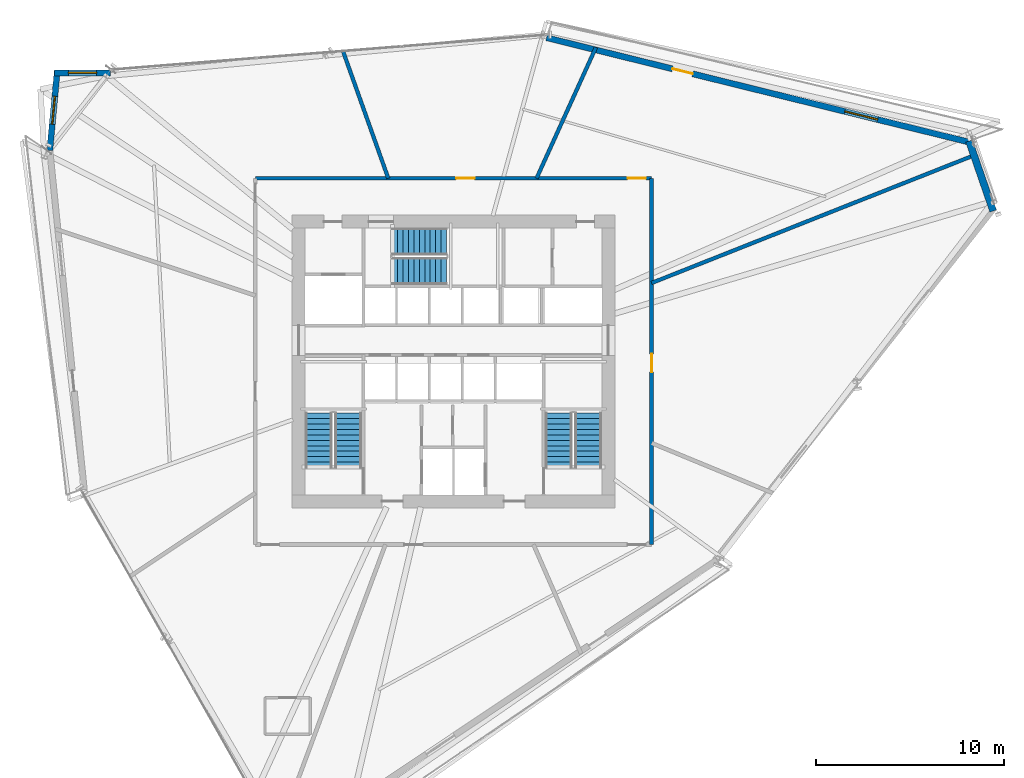
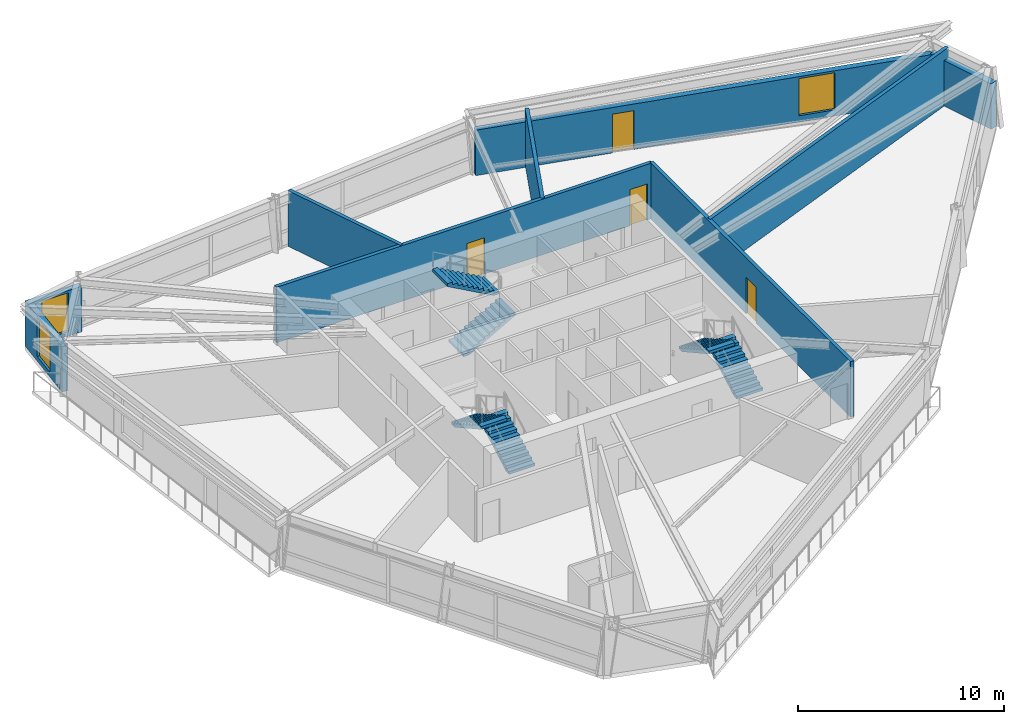
# One storey, part 14 of 18: 9 walls, 6 stair flights, 4 doors, 3 windows, 7 openings, 3 elements without a shape of their own.
"""IFC4 building model written with IfcOpenShell, lengths in metres."""

from ifc_helpers import new_model, si_unit, direction, frame, frame_2d, origin, place, context, subcontext, project, spatial, polyline, rectangle, outline, extrude, source, transform, mapped, material, layer, layer_set, type_object, type_shapes, element, fill, aggregate, save


model = new_model("IFC4")

# Units and contexts
model_context = context("Model", 3, precision=1e-05, world=origin(), true_north=direction((0.0, 1.0)))
body_context = subcontext(model_context, "Body", "Model", "MODEL_VIEW")
ifc_project = project(units=[si_unit("LENGTHUNIT", "METRE"), si_unit("AREAUNIT", "SQUARE_METRE"), si_unit("VOLUMEUNIT", "CUBIC_METRE"), si_unit("PLANEANGLEUNIT", "RADIAN"), si_unit("MASSUNIT", "GRAM", prefix="KILO")], contexts=[model_context])

# Site, building, storey
site_placement = place(None, origin())
site = spatial("IfcSite", under=ifc_project, at=site_placement, CompositionType="ELEMENT")
building_placement = place(site_placement, origin())
building = spatial("IfcBuilding", under=site, at=building_placement, Name="Olszyna Solenne Hotel", CompositionType="ELEMENT")
storey_placement = place(building_placement, frame((0.0, 0.0, 112.800048828125)))
storey = spatial("IfcBuildingStorey", under=building, at=storey_placement, Name="L29", CompositionType="ELEMENT", Elevation=112.800048828125)

# Wall, opening, window
ifc_material_1 = material(Name="Precast concrete C45/55", Category="concrete")
ifc_layer_1 = layer(ifc_material_1, 0.320068359375, Name="Precast concrete C45/55")
ifc_layer_set_1 = layer_set([ifc_layer_1], Name="Precast concrete C45/55")
wall_type_1 = type_object("IfcWallType", Name="WL-EX320", PredefinedType="SOLIDWALL", material=ifc_layer_set_1)
wall_1_placement = place(storey_placement, frame((16.50341796875, 37.838623046875, 0.0), z_axis=(0.0, 0.0, 1.0), x_axis=(0.093173512917, 0.995649886502, 0.0)))
wall_1 = element("IfcWall", 1, at=wall_1_placement, inside=storey, type_object=wall_type_1, Name="Exterior terracotta-precast frame wall WL-EX320 EW-L29-05", PredefinedType="SOLIDWALL", context=body_context, shape_type="SweptSolid", body=[
    extrude(rectangle(XDim=4.29736328125, YDim=0.320068359375, at=frame_2d((2.148681640625, 0.0))), origin(), (0.0, 0.0, 1.0), 2.69189453125),
])
opening_1_placement = place(wall_1_placement, frame((1.39892578125, 0.0, 0.27197265625)))
opening_1 = element("IfcOpeningElement", 2, at=opening_1_placement, cuts=wall_1, Name="Opening WN-L29-163", PredefinedType="OPENING", context=body_context, shape_type="SweptSolid", body=[
    extrude(rectangle(XDim=1.5, YDim=2.300048828125, at=frame_2d((0.75, 1.14990234375))), frame((0.0, 0.169921875, 0.0), z_axis=(0.0, -1.0, 0.0), x_axis=(1.0, 0.0, 0.0)), (0.0, 0.0, 1.0), 0.340087890625),
])
ifc_material_2 = material(Name="Low-E triple glazing", Category="glass")
window_type_1 = type_object("IfcWindowType", Name="WN-CH1", PartitioningType="SINGLE_PANEL", PredefinedType="WINDOW", material=ifc_material_2)
shared_shape_1 = source(origin(), body_context, "Body", "SweptSolid", [
    extrude(rectangle(XDim=1.5, YDim=2.300048828125, at=frame_2d((0.75, 1.14990234375))), frame((0.0, 0.030029296875, 0.0), z_axis=(0.0, -1.0, 0.0), x_axis=(1.0, 0.0, 0.0)), (0.0, 0.0, 1.0), 0.06005859375),
])
type_shapes(window_type_1, [shared_shape_1])
window_1_placement = place(opening_1_placement, origin())
window_1 = element("IfcWindow", 3, at=window_1_placement, inside=storey, type_object=window_type_1, Name="Exterior facade window WN-CH1 WN-L29-163", OverallHeight=2.300048828125, OverallWidth=1.5, PartitioningType="SINGLE_PANEL", PredefinedType="WINDOW", context=body_context, shape_type="MappedRepresentation", body=[
    mapped(shared_shape_1, transform((0.0, 0.0, 0.0), x_axis=(1.0, 0.0, 0.0), y_axis=(0.0, 1.0, 0.0), z_axis=(0.0, 0.0, 1.0), scale=1.0)),
])
fill(opening_1, window_1)

wall_2_placement = place(storey_placement, frame((16.744384765625, 41.971923828125, 0.0), z_axis=(0.0, 0.0, 1.0), x_axis=(0.999999668971, -0.000813669381, 0.0)))
wall_2 = element("IfcWall", 4, at=wall_2_placement, inside=storey, type_object=wall_type_1, Name="Exterior terracotta-precast frame wall WL-EX320 EW-L29-06", PredefinedType="SOLIDWALL", context=body_context, shape_type="SweptSolid", body=[
    extrude(rectangle(XDim=3.00048828125, YDim=0.320068359375, at=frame_2d((1.500244140625, 0.0))), origin(), (0.0, 0.0, 1.0), 2.69189453125),
])
opening_2_placement = place(wall_2_placement, frame((0.75, 0.0, 0.27197265625)))
opening_2 = element("IfcOpeningElement", 5, at=opening_2_placement, cuts=wall_2, Name="Opening WN-L29-164", PredefinedType="OPENING", context=body_context, shape_type="SweptSolid", body=[
    extrude(rectangle(XDim=1.5, YDim=2.300048828125, at=frame_2d((0.75, 1.14990234375))), frame((0.0, 0.169921875, 0.0), z_axis=(0.0, -1.0, 0.0), x_axis=(1.0, 0.0, 0.0)), (0.0, 0.0, 1.0), 0.340087890625),
])
window_2_placement = place(opening_2_placement, origin())
window_2 = element("IfcWindow", 6, at=window_2_placement, inside=storey, type_object=window_type_1, Name="Exterior facade window WN-CH1 WN-L29-164", OverallHeight=2.300048828125, OverallWidth=1.5, PartitioningType="SINGLE_PANEL", PredefinedType="WINDOW", context=body_context, shape_type="MappedRepresentation", body=[
    mapped(shared_shape_1, transform((0.0, 0.0, 0.0), x_axis=(1.0, 0.0, 0.0), y_axis=(0.0, 1.0, 0.0), z_axis=(0.0, 0.0, 1.0), scale=1.0)),
])
fill(opening_2, window_2)

# Wall, openings, door, window
wall_3_placement = place(storey_placement, frame((42.9541015625, 43.837646484375, 0.0), z_axis=(0.0, 0.0, 1.0), x_axis=(0.970815465414, -0.239827713396, 0.0)))
wall_3 = element("IfcWall", 7, at=wall_3_placement, inside=storey, type_object=wall_type_1, Name="Exterior terracotta-precast frame wall WL-EX320 EW-L29-08", PredefinedType="SOLIDWALL", context=body_context, shape_type="SweptSolid", body=[
    extrude(rectangle(XDim=23.322021484375, YDim=0.320068359375, at=frame_2d((11.6611328125, 0.0))), origin(), (0.0, 0.0, 1.0), 2.69189453125),
])
opening_3_placement = place(wall_3_placement, frame((6.9130859375, 0.0, 0.0)))
opening_3 = element("IfcOpeningElement", 8, at=opening_3_placement, cuts=wall_3, Name="Opening LDG-L29-1", PredefinedType="OPENING", context=body_context, shape_type="SweptSolid", body=[
    extrude(rectangle(XDim=1.10009765625, YDim=2.300048828125, at=frame_2d((0.550048828125, 1.14990234375))), frame((0.0, 0.169921875, 0.0), z_axis=(0.0, -1.0, 0.0), x_axis=(1.0, 0.0, 0.0)), (0.0, 0.0, 1.0), 0.340087890625),
])
opening_4_placement = place(wall_3_placement, frame((16.35791015625, 0.0, 0.3720703125)))
opening_4 = element("IfcOpeningElement", 9, at=opening_4_placement, cuts=wall_3, Name="Opening WN-L29-165", PredefinedType="OPENING", context=body_context, shape_type="SweptSolid", body=[
    extrude(rectangle(XDim=1.800048828125, YDim=2.199951171875, at=frame_2d((0.89990234375, 1.10009765625))), frame((0.0, 0.169921875, 0.0), z_axis=(0.0, -1.0, 0.0), x_axis=(1.0, 0.0, 0.0)), (0.0, 0.0, 1.0), 0.340087890625),
])
ifc_material_3 = material(Name="Anodised bronze aluminium", Category="aluminium")
door_type_1 = type_object("IfcDoorType", Name="DR-LG1", OperationType="NOTDEFINED", PredefinedType="DOOR", material=ifc_material_3)
shared_shape_2 = source(origin(), body_context, "Body", "SweptSolid", [
    extrude(rectangle(XDim=1.10009765625, YDim=2.300048828125, at=frame_2d((0.550048828125, 1.14990234375))), frame((0.0, 0.02490234375, 0.0), z_axis=(0.0, -1.0, 0.0), x_axis=(1.0, 0.0, 0.0)), (0.0, 0.0, 1.0), 0.050048828125),
])
type_shapes(door_type_1, [shared_shape_2])
door_1_placement = place(opening_3_placement, origin())
door_1 = element("IfcDoor", 10, at=door_1_placement, inside=storey, type_object=door_type_1, Name="Exterior loggia balcony door DR-LG1 LDG-L29-1", OperationType="SINGLE_SWING_LEFT", OverallHeight=2.300048828125, OverallWidth=1.10009765625, PredefinedType="DOOR", context=body_context, shape_type="MappedRepresentation", body=[
    mapped(shared_shape_2, transform((0.0, 0.0, 0.0), x_axis=(1.0, 0.0, 0.0), y_axis=(0.0, 1.0, 0.0), z_axis=(0.0, 0.0, 1.0), scale=1.0)),
])
fill(opening_3, door_1)
window_type_2 = type_object("IfcWindowType", Name="WN-HT1", PartitioningType="SINGLE_PANEL", PredefinedType="WINDOW", material=ifc_material_2)
shared_shape_3 = source(origin(), body_context, "Body", "SweptSolid", [
    extrude(rectangle(XDim=1.800048828125, YDim=2.199951171875, at=frame_2d((0.89990234375, 1.10009765625))), frame((0.0, 0.030029296875, 0.0), z_axis=(0.0, -1.0, 0.0), x_axis=(1.0, 0.0, 0.0)), (0.0, 0.0, 1.0), 0.06005859375),
])
type_shapes(window_type_2, [shared_shape_3])
window_3_placement = place(opening_4_placement, origin())
window_3 = element("IfcWindow", 11, at=window_3_placement, inside=storey, type_object=window_type_2, Name="Loggia room window WN-HT1 WN-L29-165", OverallHeight=2.199951171875, OverallWidth=1.800048828125, PartitioningType="SINGLE_PANEL", PredefinedType="WINDOW", context=body_context, shape_type="MappedRepresentation", body=[
    mapped(shared_shape_3, transform((0.0, 0.0, 0.0), x_axis=(1.0, 0.0, 0.0), y_axis=(0.0, 1.0, 0.0), z_axis=(0.0, 0.0, 1.0), scale=1.0)),
])
fill(opening_4, window_3)

# Walls
ifc_material_4 = material(Name="Terracotta cladding on precast concrete C45/55", Category="masonry")
ifc_layer_2 = layer(ifc_material_4, 0.3798828125, Name="Terracotta cladding on precast concrete C45/55")
ifc_layer_set_2 = layer_set([ifc_layer_2], Name="Terracotta cladding on precast concrete C45/55")
wall_type_2 = type_object("IfcWallType", Name="WL-EX380", PredefinedType="SOLIDWALL", material=ifc_layer_set_2)
wall_4_placement = place(storey_placement, frame((65.4541015625, 38.337890625, 0.0), z_axis=(0.0, 0.0, 1.0), x_axis=(0.32644681429, -0.945215571941, 0.0)))
element("IfcWall", 12, at=wall_4_placement, inside=storey, type_object=wall_type_2, Name="Exterior terracotta-precast frame wall WL-EX380 EW-L29-09", PredefinedType="SOLIDWALL", context=body_context, shape_type="SweptSolid", body=[
    extrude(rectangle(XDim=3.942138671875, YDim=0.3798828125, at=frame_2d((1.97119140625, 0.0))), origin(), (0.0, 0.0, 1.0), 2.69189453125),
])
ifc_material_5 = material(Name="Acoustic gypsum partition", Category="gypsum")
ifc_layer_3 = layer(ifc_material_5, 0.199951171875, Name="Acoustic gypsum partition")
ifc_layer_set_3 = layer_set([ifc_layer_3], Name="Acoustic gypsum partition")
wall_type_3 = type_object("IfcWallType", Name="WL-PT200", PredefinedType="PARTITIONING", material=ifc_layer_set_3)
wall_5_placement = place(storey_placement, frame((48.550048828125, 30.777099609375, 0.0), z_axis=(0.0, 0.0, 1.0), x_axis=(0.929775488652, 0.368127071407, 0.0)))
element("IfcWall", 13, at=wall_5_placement, inside=storey, type_object=wall_type_3, Name="Interior acoustic partition WL-PT200 PW-L29-1693", PredefinedType="PARTITIONING", context=body_context, shape_type="SweptSolid", body=[
    extrude(rectangle(XDim=18.62451171875, YDim=0.199951171875, at=frame_2d((9.312255859375, 0.0))), origin(), (0.0, 0.0, 1.0), 3.300048828125),
])
wall_6_placement = place(storey_placement, frame((42.4228515625, 36.35009765625, 0.0), z_axis=(0.0, 0.0, 1.0), x_axis=(0.413101190414, 0.910685130261, 0.0)))
element("IfcWall", 14, at=wall_6_placement, inside=storey, type_object=wall_type_3, Name="Interior acoustic partition WL-PT200 PW-L29-1694", PredefinedType="PARTITIONING", context=body_context, shape_type="SweptSolid", body=[
    extrude(rectangle(XDim=7.6552734375, YDim=0.199951171875, at=frame_2d((3.82763671875, 0.0))), origin(), (0.0, 0.0, 1.0), 3.300048828125),
])
wall_7_placement = place(storey_placement, frame((34.5283203125, 36.35009765625, 0.0), z_axis=(0.0, 0.0, 1.0), x_axis=(-0.335484779228, 0.942045626765, 0.0)))
element("IfcWall", 15, at=wall_7_placement, inside=storey, type_object=wall_type_3, Name="Interior acoustic partition WL-PT200 PW-L29-1695", PredefinedType="PARTITIONING", context=body_context, shape_type="SweptSolid", body=[
    extrude(rectangle(XDim=7.156494140625, YDim=0.199951171875, at=frame_2d((3.578125, 0.0))), origin(), (0.0, 0.0, 1.0), 3.300048828125),
])

# Wall, openings, doors
wall_8_placement = place(storey_placement, frame((27.449951171875, 36.35009765625, 0.0), z_axis=(0.0, 0.0, 1.0), x_axis=(1.0, 0.0, 0.0)))
wall_8 = element("IfcWall", 16, at=wall_8_placement, inside=storey, type_object=wall_type_3, Name="Interior acoustic partition WL-PT200 PW-L29-1704", PredefinedType="PARTITIONING", context=body_context, shape_type="SweptSolid", body=[
    extrude(rectangle(XDim=21.10009765625, YDim=0.199951171875, at=frame_2d((10.550048828125, 0.0))), origin(), (0.0, 0.0, 1.0), 3.300048828125),
])
opening_5_placement = place(wall_8_placement, frame((19.820068359375, 0.0, 0.0)))
opening_5 = element("IfcOpeningElement", 17, at=opening_5_placement, cuts=wall_8, Name="Opening DR-L29-0408", PredefinedType="OPENING", context=body_context, shape_type="SweptSolid", body=[
    extrude(rectangle(XDim=0.97998046875, YDim=2.14990234375, at=frame_2d((0.489990234375, 1.074951171875))), frame((0.0, 0.10986328125, 0.0), z_axis=(0.0, -1.0, 0.0), x_axis=(1.0, 0.0, 0.0)), (0.0, 0.0, 1.0), 0.219970703125),
])
opening_6_placement = place(wall_8_placement, frame((10.695068359375, 0.0, 0.0)))
opening_6 = element("IfcOpeningElement", 18, at=opening_6_placement, cuts=wall_8, Name="Opening DR-L29-0409", PredefinedType="OPENING", context=body_context, shape_type="SweptSolid", body=[
    extrude(rectangle(XDim=0.97998046875, YDim=2.14990234375, at=frame_2d((0.489990234375, 1.074951171875))), frame((0.0, 0.10986328125, 0.0), z_axis=(0.0, -1.0, 0.0), x_axis=(1.0, 0.0, 0.0)), (0.0, 0.0, 1.0), 0.219970703125),
])
ifc_material_6 = material(Name="Timber hardwood", Category="wood")
door_type_2 = type_object("IfcDoorType", Name="DR-RM1", OperationType="NOTDEFINED", PredefinedType="DOOR", material=ifc_material_6)
shared_shape_4 = source(origin(), body_context, "Body", "SweptSolid", [
    extrude(rectangle(XDim=0.97998046875, YDim=2.14990234375, at=frame_2d((0.489990234375, 1.074951171875))), frame((0.0, 0.02490234375, 0.0), z_axis=(0.0, -1.0, 0.0), x_axis=(1.0, 0.0, 0.0)), (0.0, 0.0, 1.0), 0.050048828125),
])
type_shapes(door_type_2, [shared_shape_4])
door_2_placement = place(opening_5_placement, origin())
door_2 = element("IfcDoor", 19, at=door_2_placement, inside=storey, type_object=door_type_2, Name="Private Business Office Entrance Door DR-L29-0408", OperationType="SINGLE_SWING_LEFT", OverallHeight=2.14990234375, OverallWidth=0.97998046875, PredefinedType="DOOR", context=body_context, shape_type="MappedRepresentation", body=[
    mapped(shared_shape_4, transform((0.0, 0.0, 0.0), x_axis=(1.0, 0.0, 0.0), y_axis=(0.0, 1.0, 0.0), z_axis=(0.0, 0.0, 1.0), scale=1.0)),
])
fill(opening_5, door_2)
door_3_placement = place(opening_6_placement, origin())
door_3 = element("IfcDoor", 20, at=door_3_placement, inside=storey, type_object=door_type_2, Name="Private Business Office Entrance Door DR-L29-0409", OperationType="SINGLE_SWING_RIGHT", OverallHeight=2.14990234375, OverallWidth=0.97998046875, PredefinedType="DOOR", context=body_context, shape_type="MappedRepresentation", body=[
    mapped(shared_shape_4, transform((0.0, 0.0, 0.0), x_axis=(1.0, 0.0, 0.0), y_axis=(0.0, 1.0, 0.0), z_axis=(0.0, 0.0, 1.0), scale=1.0)),
])
fill(opening_6, door_3)

# Wall, opening, door
wall_9_placement = place(storey_placement, frame((48.550048828125, 16.85009765625, 0.0), z_axis=(0.0, 0.0, 1.0), x_axis=(0.0, 1.0, 0.0)))
wall_9 = element("IfcWall", 21, at=wall_9_placement, inside=storey, type_object=wall_type_3, Name="Interior acoustic partition WL-PT200 PW-L29-1705", PredefinedType="PARTITIONING", context=body_context, shape_type="SweptSolid", body=[
    extrude(rectangle(XDim=19.5, YDim=0.199951171875, at=frame_2d((9.75, 0.0))), origin(), (0.0, 0.0, 1.0), 3.300048828125),
])
opening_7_placement = place(wall_9_placement, frame((9.174072265625, 0.0, 0.0)))
opening_7 = element("IfcOpeningElement", 22, at=opening_7_placement, cuts=wall_9, Name="Opening DR-L29-0410", PredefinedType="OPENING", context=body_context, shape_type="SweptSolid", body=[
    extrude(rectangle(XDim=0.97998046875, YDim=2.14990234375, at=frame_2d((0.489990234375, 1.074951171875))), frame((0.0, 0.10986328125, 0.0), z_axis=(0.0, -1.0, 0.0), x_axis=(1.0, 0.0, 0.0)), (0.0, 0.0, 1.0), 0.219970703125),
])
door_4_placement = place(opening_7_placement, origin())
door_4 = element("IfcDoor", 23, at=door_4_placement, inside=storey, type_object=door_type_2, Name="Private Business Office Entrance Door DR-L29-0410", OperationType="SINGLE_SWING_RIGHT", OverallHeight=2.14990234375, OverallWidth=0.97998046875, PredefinedType="DOOR", context=body_context, shape_type="MappedRepresentation", body=[
    mapped(shared_shape_4, transform((0.0, 0.0, 0.0), x_axis=(1.0, 0.0, 0.0), y_axis=(0.0, 1.0, 0.0), z_axis=(0.0, 0.0, 1.0), scale=1.0)),
])
fill(opening_7, door_4)

# Stair, stair flights
ifc_material_7 = material(Name="Concrete C40/50", Category="concrete")
stair_type = type_object("IfcStairType", Name="STR-C1", PredefinedType="TWO_QUARTER_WINDING_STAIR", material=ifc_material_7)
stair_1_placement = place(storey_placement, origin())
stair_1 = element("IfcStair", 24, at=stair_1_placement, inside=storey, type_object=stair_type, Name="L29 ST1", PredefinedType="TWO_QUARTER_WINDING_STAIR")
stair_flight_type = type_object("IfcStairFlightType", Name="FLT-C1", PredefinedType="STRAIGHT", material=ifc_material_7)
stair_flight_1_placement = place(storey_placement, frame((32.39501953125, 20.949951171875, 0.0), z_axis=(0.0, 0.0, 1.0), x_axis=(0.0, 1.0, 0.0)))
stair_flight_1 = element("IfcStairFlight", 25, at=stair_flight_1_placement, type_object=stair_flight_type, Name="ST1 flight 1", NumberOfRisers=11, NumberOfTreads=10, PredefinedType="STRAIGHT", RiserHeight=0.161363636, TreadLength=0.29, context=body_context, shape_type="SweptSolid", body=[
    extrude(outline(polyline([(0.0, 0.0), (0.0, 0.161376953125), (0.2900390625, 0.161376953125), (0.2900390625, 0.32275390625), (0.580078125, 0.32275390625), (0.580078125, 0.484130859375), (0.8701171875, 0.484130859375), (0.8701171875, 0.6455078125), (1.159912109375, 0.6455078125), (1.159912109375, 0.806884765625), (1.449951171875, 0.806884765625), (1.449951171875, 0.96826171875), (1.739990234375, 0.96826171875), (1.739990234375, 1.129638671875), (2.030029296875, 1.129638671875), (2.030029296875, 1.291015625), (2.320068359375, 1.291015625), (2.320068359375, 1.452392578125), (2.610107421875, 1.452392578125), (2.610107421875, 1.613525390625), (2.89990234375, 1.613525390625), (2.89990234375, 1.77490234375), (2.89990234375, 1.442138671875), (0.308349609375, 0.0), (0.0, 0.0)])), frame((0.0, 0.72509765625, 0.0), z_axis=(0.0, -1.0, 0.0), x_axis=(1.0, 0.0, 0.0)), (0.0, 0.0, 1.0), 1.449951171875),
])
stair_flight_2_placement = place(storey_placement, frame((30.824951171875, 23.85009765625, 1.77490234375), z_axis=(0.0, 0.0, 1.0), x_axis=(0.0, -1.0, 0.0)))
stair_flight_2 = element("IfcStairFlight", 26, at=stair_flight_2_placement, type_object=stair_flight_type, Name="ST1 flight 2", NumberOfRisers=11, NumberOfTreads=10, PredefinedType="STRAIGHT", RiserHeight=0.161363636, TreadLength=0.29, context=body_context, shape_type="SweptSolid", body=[
    extrude(outline(polyline([(0.0, 0.0), (0.0, 0.161376953125), (0.2900390625, 0.161376953125), (0.2900390625, 0.32275390625), (0.580078125, 0.32275390625), (0.580078125, 0.484130859375), (0.8701171875, 0.484130859375), (0.8701171875, 0.6455078125), (1.159912109375, 0.6455078125), (1.159912109375, 0.806884765625), (1.449951171875, 0.806884765625), (1.449951171875, 0.96826171875), (1.739990234375, 0.96826171875), (1.739990234375, 1.129638671875), (2.030029296875, 1.129638671875), (2.030029296875, 1.291015625), (2.320068359375, 1.291015625), (2.320068359375, 1.452392578125), (2.610107421875, 1.452392578125), (2.610107421875, 1.613525390625), (2.89990234375, 1.613525390625), (2.89990234375, 1.77490234375), (2.89990234375, 1.442138671875), (0.308349609375, 0.0), (0.0, 0.0)])), frame((0.0, 0.72509765625, 0.0), z_axis=(0.0, -1.0, 0.0), x_axis=(1.0, 0.0, 0.0)), (0.0, 0.0, 1.0), 1.449951171875),
])
aggregate(stair_1, [stair_flight_1, stair_flight_2])

stair_2_placement = place(storey_placement, origin())
stair_2 = element("IfcStair", 27, at=stair_2_placement, inside=storey, type_object=stair_type, Name="L29 ST2", PredefinedType="TWO_QUARTER_WINDING_STAIR")
stair_flight_3_placement = place(storey_placement, frame((45.175048828125, 20.949951171875, 0.0), z_axis=(0.0, 0.0, 1.0), x_axis=(0.0, 1.0, 0.0)))
stair_flight_3 = element("IfcStairFlight", 28, at=stair_flight_3_placement, type_object=stair_flight_type, Name="ST2 flight 1", NumberOfRisers=11, NumberOfTreads=10, PredefinedType="STRAIGHT", RiserHeight=0.161363636, TreadLength=0.29, context=body_context, shape_type="SweptSolid", body=[
    extrude(outline(polyline([(0.0, 0.0), (0.0, 0.161376953125), (0.2900390625, 0.161376953125), (0.2900390625, 0.32275390625), (0.580078125, 0.32275390625), (0.580078125, 0.484130859375), (0.8701171875, 0.484130859375), (0.8701171875, 0.6455078125), (1.159912109375, 0.6455078125), (1.159912109375, 0.806884765625), (1.449951171875, 0.806884765625), (1.449951171875, 0.96826171875), (1.739990234375, 0.96826171875), (1.739990234375, 1.129638671875), (2.030029296875, 1.129638671875), (2.030029296875, 1.291015625), (2.320068359375, 1.291015625), (2.320068359375, 1.452392578125), (2.610107421875, 1.452392578125), (2.610107421875, 1.613525390625), (2.89990234375, 1.613525390625), (2.89990234375, 1.77490234375), (2.89990234375, 1.442138671875), (0.308349609375, 0.0), (0.0, 0.0)])), frame((0.0, 0.72509765625, 0.0), z_axis=(0.0, -1.0, 0.0), x_axis=(1.0, 0.0, 0.0)), (0.0, 0.0, 1.0), 1.449951171875),
])
stair_flight_4_placement = place(storey_placement, frame((43.60498046875, 23.85009765625, 1.77490234375), z_axis=(0.0, 0.0, 1.0), x_axis=(0.0, -1.0, 0.0)))
stair_flight_4 = element("IfcStairFlight", 29, at=stair_flight_4_placement, type_object=stair_flight_type, Name="ST2 flight 2", NumberOfRisers=11, NumberOfTreads=10, PredefinedType="STRAIGHT", RiserHeight=0.161363636, TreadLength=0.29, context=body_context, shape_type="SweptSolid", body=[
    extrude(outline(polyline([(0.0, 0.0), (0.0, 0.161376953125), (0.2900390625, 0.161376953125), (0.2900390625, 0.32275390625), (0.580078125, 0.32275390625), (0.580078125, 0.484130859375), (0.8701171875, 0.484130859375), (0.8701171875, 0.6455078125), (1.159912109375, 0.6455078125), (1.159912109375, 0.806884765625), (1.449951171875, 0.806884765625), (1.449951171875, 0.96826171875), (1.739990234375, 0.96826171875), (1.739990234375, 1.129638671875), (2.030029296875, 1.129638671875), (2.030029296875, 1.291015625), (2.320068359375, 1.291015625), (2.320068359375, 1.452392578125), (2.610107421875, 1.452392578125), (2.610107421875, 1.613525390625), (2.89990234375, 1.613525390625), (2.89990234375, 1.77490234375), (2.89990234375, 1.442138671875), (0.308349609375, 0.0), (0.0, 0.0)])), frame((0.0, 0.72509765625, 0.0), z_axis=(0.0, -1.0, 0.0), x_axis=(1.0, 0.0, 0.0)), (0.0, 0.0, 1.0), 1.449951171875),
])
aggregate(stair_2, [stair_flight_3, stair_flight_4])

stair_3_placement = place(storey_placement, origin())
stair_3 = element("IfcStair", 30, at=stair_3_placement, inside=storey, type_object=stair_type, Name="L29 ST3", PredefinedType="TWO_QUARTER_WINDING_STAIR")
stair_flight_5_placement = place(storey_placement, frame((34.72998046875, 31.405029296875, 0.0), z_axis=(0.0, 0.0, 1.0), x_axis=(1.0, 0.0, 0.0)))
stair_flight_5 = element("IfcStairFlight", 31, at=stair_flight_5_placement, type_object=stair_flight_type, Name="ST3 flight 1", NumberOfRisers=11, NumberOfTreads=10, PredefinedType="STRAIGHT", RiserHeight=0.161363636, TreadLength=0.29, context=body_context, shape_type="SweptSolid", body=[
    extrude(outline(polyline([(0.0, 0.0), (0.0, 0.161376953125), (0.2900390625, 0.161376953125), (0.2900390625, 0.32275390625), (0.580078125, 0.32275390625), (0.580078125, 0.484130859375), (0.8701171875, 0.484130859375), (0.8701171875, 0.6455078125), (1.159912109375, 0.6455078125), (1.159912109375, 0.806884765625), (1.449951171875, 0.806884765625), (1.449951171875, 0.96826171875), (1.739990234375, 0.96826171875), (1.739990234375, 1.129638671875), (2.030029296875, 1.129638671875), (2.030029296875, 1.291015625), (2.320068359375, 1.291015625), (2.320068359375, 1.452392578125), (2.610107421875, 1.452392578125), (2.610107421875, 1.613525390625), (2.89990234375, 1.613525390625), (2.89990234375, 1.77490234375), (2.89990234375, 1.442138671875), (0.308349609375, 0.0), (0.0, 0.0)])), frame((0.0, 0.72509765625, 0.0), z_axis=(0.0, -1.0, 0.0), x_axis=(1.0, 0.0, 0.0)), (0.0, 0.0, 1.0), 1.449951171875),
])
stair_flight_6_placement = place(storey_placement, frame((37.6298828125, 32.97509765625, 1.77490234375), z_axis=(0.0, 0.0, 1.0), x_axis=(-1.0, 0.0, 0.0)))
stair_flight_6 = element("IfcStairFlight", 32, at=stair_flight_6_placement, type_object=stair_flight_type, Name="ST3 flight 2", NumberOfRisers=11, NumberOfTreads=10, PredefinedType="STRAIGHT", RiserHeight=0.161363636, TreadLength=0.29, context=body_context, shape_type="SweptSolid", body=[
    extrude(outline(polyline([(0.0, 0.0), (0.0, 0.161376953125), (0.2900390625, 0.161376953125), (0.2900390625, 0.32275390625), (0.580078125, 0.32275390625), (0.580078125, 0.484130859375), (0.8701171875, 0.484130859375), (0.8701171875, 0.6455078125), (1.159912109375, 0.6455078125), (1.159912109375, 0.806884765625), (1.449951171875, 0.806884765625), (1.449951171875, 0.96826171875), (1.739990234375, 0.96826171875), (1.739990234375, 1.129638671875), (2.030029296875, 1.129638671875), (2.030029296875, 1.291015625), (2.320068359375, 1.291015625), (2.320068359375, 1.452392578125), (2.610107421875, 1.452392578125), (2.610107421875, 1.613525390625), (2.89990234375, 1.613525390625), (2.89990234375, 1.77490234375), (2.89990234375, 1.442138671875), (0.308349609375, 0.0), (0.0, 0.0)])), frame((0.0, 0.72509765625, 0.0), z_axis=(0.0, -1.0, 0.0), x_axis=(1.0, 0.0, 0.0)), (0.0, 0.0, 1.0), 1.449951171875),
])
aggregate(stair_3, [stair_flight_5, stair_flight_6])

save(model, "model.ifc")
